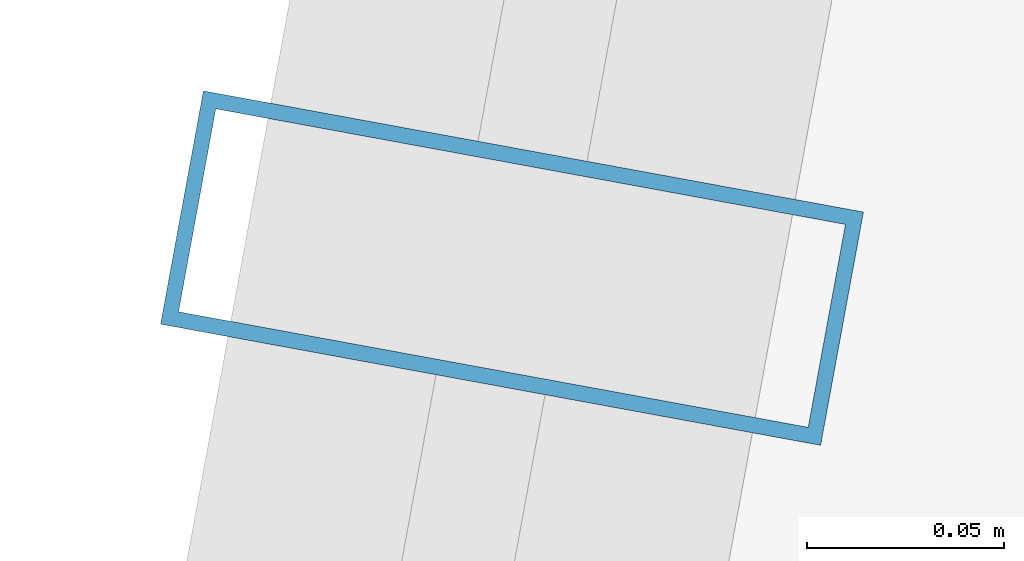
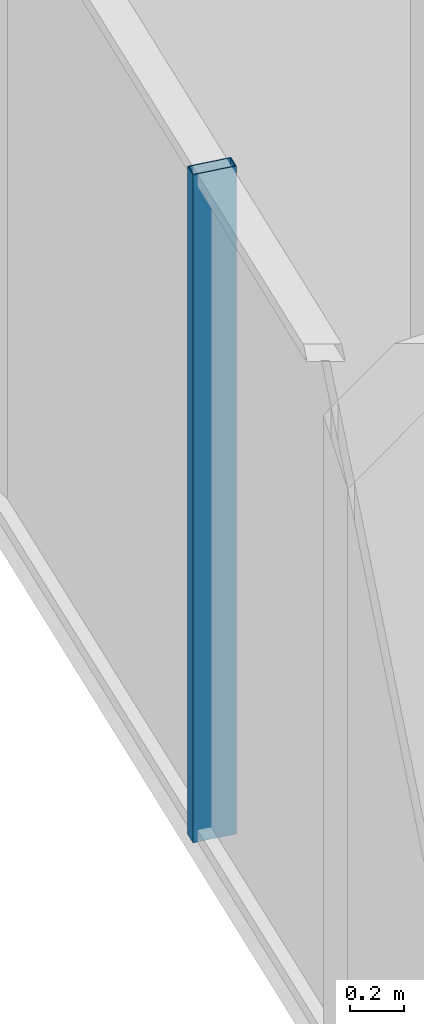
# One storey, part 13 of 33: 1 member, 1 element without a shape of its own.
"""IFC4 building model written with IfcOpenShell, lengths in metres."""

import ifcopenshell
import ifcopenshell.guid

model = None  # the IFC model being written
_history = None  # IfcOwnerHistory: only IFC2X3 demands one
_inside = {}  # id of a spatial element -> (the spatial element, [elements in it])
_under = {}  # id of a project, library or spatial element -> (it, [spatial elements below it])
_declared = {}  # id of a project -> (the project, [libraries it declares])
_typed = {}  # id of a type object -> (the type object, [elements of that type])
_made_of = {}  # id of a material, layer set ... -> (it, [elements and type objects made of it])


def new_model(schema):
    """Start an empty IFC model of exactly this schema.

    Asked for "IFC4X3", IfcOpenShell would pick the latest addendum, in which some entities
    have other attributes; the version numbers below select the first issue.
    IFC2X3 requires an IfcOwnerHistory on every rooted entity: one is made here for all.
    """
    global model, _history
    if schema == "IFC4X3":
        model = ifcopenshell.file(schema_version=(4, 3, 0, 0))
    else:
        model = ifcopenshell.file(schema=schema)
    _inside.clear()
    _under.clear()
    _declared.clear()
    _typed.clear()
    _made_of.clear()
    _history = None
    if model.schema == "IFC2X3":
        org = make("IfcOrganization", Name="unknown")
        user = make(
            "IfcPersonAndOrganization",
            ThePerson=make("IfcPerson", FamilyName="unknown"),
            TheOrganization=org,
        )
        app = make(
            "IfcApplication",
            ApplicationDeveloper=org,
            Version="unknown",
            ApplicationFullName="unknown",
            ApplicationIdentifier="unknown",
        )
        _history = make(
            "IfcOwnerHistory",
            OwningUser=user,
            OwningApplication=app,
            ChangeAction="ADDED",
            CreationDate=0,
        )
    return model


def make(cls, **values):
    """One entity of the class cls with the attributes given. An attribute that is None is left unset."""
    return model.create_entity(
        cls, **{name: value for name, value in values.items() if value is not None}
    )


def rooted(cls, **values):
    """An entity with a GlobalId (a new one), such as an element, a storey or a relation."""
    return make(cls, GlobalId=ifcopenshell.guid.new(), OwnerHistory=_history, **values)


def si_unit(unit_type, name, prefix=None):
    """IfcSIUnit, for example si_unit("LENGTHUNIT", "METRE", prefix="MILLI")."""
    return make("IfcSIUnit", UnitType=unit_type, Prefix=prefix, Name=name)


def assignment(units):
    """IfcUnitAssignment: the units of a project."""
    return None if units is None else make("IfcUnitAssignment", Units=units)


def point(xyz):
    """IfcCartesianPoint."""
    return None if xyz is None else make("IfcCartesianPoint", Coordinates=xyz)


def direction(xyz):
    """IfcDirection."""
    return None if xyz is None else make("IfcDirection", DirectionRatios=xyz)


def frame(location, z_axis=None, x_axis=None):
    """IfcAxis2Placement3D, a coordinate frame: its origin and axes. An axis left out is left unset."""
    return make(
        "IfcAxis2Placement3D",
        Location=point(location),
        Axis=direction(z_axis),
        RefDirection=direction(x_axis),
    )


def frame_2d(location, x_axis=None):
    """IfcAxis2Placement2D, a coordinate frame in the plane: its origin and x axis."""
    return make(
        "IfcAxis2Placement2D", Location=point(location), RefDirection=direction(x_axis)
    )


def origin():
    """The frame at (0, 0, 0) with its axes left unset."""
    return frame((0.0, 0.0, 0.0))


def origin_2d():
    """The frame at (0, 0) in the plane with its x axis left unset."""
    return frame_2d((0.0, 0.0))


def place(relative_to, where):
    """IfcLocalPlacement: puts the frame where relative to a parent placement (None: the world)."""
    return make(
        "IfcLocalPlacement", PlacementRelTo=relative_to, RelativePlacement=where
    )


def context(
    kind, dimensions, precision=None, world=None, true_north=None, identifier=None
):
    """IfcGeometricRepresentationContext, for example the 3D "Model" context."""
    return make(
        "IfcGeometricRepresentationContext",
        ContextIdentifier=identifier,
        ContextType=kind,
        CoordinateSpaceDimension=dimensions,
        Precision=precision,
        WorldCoordinateSystem=world,
        TrueNorth=true_north,
    )


def subcontext(parent, identifier, kind, view, scale=None):
    """IfcGeometricRepresentationSubContext, for example "Body" below "Model"."""
    return make(
        "IfcGeometricRepresentationSubContext",
        ContextIdentifier=identifier,
        ContextType=kind,
        ParentContext=parent,
        TargetScale=scale,
        TargetView=view,
    )


def project(units=None, contexts=None):
    """IfcProject with its units and contexts."""
    return rooted(
        "IfcProject",
        Name="project",
        RepresentationContexts=contexts,
        UnitsInContext=assignment(units),
    )


def spatial(cls, under=None, at=None, **own):
    """A site, building, storey or space (cls), placed at a placement, below another one or the project."""
    s = rooted(cls, ObjectPlacement=at, **own)
    if under is not None:
        _under.setdefault(under.id(), (under, []))[1].append(s)
    return s


def profile(cls, at=None, kind="AREA", **sizes):
    """A parametric profile (cls). Its sizes go by their IFC names, for example OverallWidth=200.0."""
    return make(cls, ProfileType=kind, Position=at, **sizes)


def hollow_rectangle(**sizes):
    """IfcRectangleHollowProfileDef."""
    return profile("IfcRectangleHollowProfileDef", **sizes)


def extrude(swept, where, along, depth):
    """IfcExtrudedAreaSolid: the profile swept, set in the frame where, extruded along a direction by depth."""
    return make(
        "IfcExtrudedAreaSolid",
        SweptArea=swept,
        Position=where,
        ExtrudedDirection=direction(along),
        Depth=depth,
    )


def shape(context_of_items, identifier, shape_type, items):
    """IfcShapeRepresentation: the items that make up one representation, for example the "Body"."""
    return make(
        "IfcShapeRepresentation",
        ContextOfItems=context_of_items,
        RepresentationIdentifier=identifier,
        RepresentationType=shape_type,
        Items=items,
    )


def source(mapping_origin, context_of_items, identifier, shape_type, items):
    """IfcRepresentationMap: a shape defined once, which mapped items show again and again."""
    return make(
        "IfcRepresentationMap",
        MappingOrigin=mapping_origin,
        MappedRepresentation=shape(context_of_items, identifier, shape_type, items),
    )


def transform(
    local_origin,
    x_axis=None,
    y_axis=None,
    z_axis=None,
    scale=None,
    scale2=None,
    scale3=None,
    uniform=True,
):
    """IfcCartesianTransformationOperator3D, or its non-uniform kind. x_axis, y_axis, z_axis: its Axis1, 2, 3."""
    if uniform:
        return make(
            "IfcCartesianTransformationOperator3D",
            Axis1=direction(x_axis),
            Axis2=direction(y_axis),
            LocalOrigin=point(local_origin),
            Scale=scale,
            Axis3=direction(z_axis),
        )
    return make(
        "IfcCartesianTransformationOperator3DnonUniform",
        Axis1=direction(x_axis),
        Axis2=direction(y_axis),
        LocalOrigin=point(local_origin),
        Scale=scale,
        Axis3=direction(z_axis),
        Scale2=scale2,
        Scale3=scale3,
    )


def mapped(mapping_source, mapping_target):
    """IfcMappedItem: shows the shape of a source again, moved by a transform."""
    return make(
        "IfcMappedItem", MappingSource=mapping_source, MappingTarget=mapping_target
    )


def material(Name=None, Category=None):
    """IfcMaterial."""
    return make("IfcMaterial", Name=Name, Category=Category)


def layer(
    of_material, thickness, ventilated=None, Name=None, Category=None, Priority=None
):
    """IfcMaterialLayer: one layer of a wall or slab, of a material (None: an air gap)."""
    return make(
        "IfcMaterialLayer",
        Material=of_material,
        LayerThickness=thickness,
        IsVentilated=ventilated,
        Name=Name,
        Category=Category,
        Priority=Priority,
    )


def layer_set(layers, Name=None):
    """IfcMaterialLayerSet."""
    return make("IfcMaterialLayerSet", MaterialLayers=layers, LayerSetName=Name)


def material_profile(
    of_material, cross_section, Name=None, Category=None, Priority=None
):
    """IfcMaterialProfile: a cross section and its material."""
    return make(
        "IfcMaterialProfile",
        Name=Name,
        Material=of_material,
        Profile=cross_section,
        Priority=Priority,
        Category=Category,
    )


def profile_set(profiles, Name=None, composite=None):
    """IfcMaterialProfileSet."""
    return make(
        "IfcMaterialProfileSet",
        Name=Name,
        MaterialProfiles=profiles,
        CompositeProfile=composite,
    )


def made_of(thing, what):
    """Note that an element or type object is made of a material, layer set ...; save() writes the relation."""
    if what is not None:
        _made_of.setdefault(what.id(), (what, []))[1].append(thing)
    return thing


def type_object(cls, material=None, **own):
    """A type object (cls), such as IfcWallType, which elements share."""
    return made_of(rooted(cls, **own), material)


def element(
    cls,
    number,
    at=None,
    inside=None,
    cuts=None,
    type_object=None,
    material=None,
    context=None,
    identifier="Body",
    shape_type=None,
    held_by="IfcProductDefinitionShape",
    body=None,
    shapes=None,
    **own,
):
    """One element of the class cls, such as IfcWall. Its Tag is "e" and its number.

    at: its placement. inside: the storey or other place that contains it. cuts: it is an
    opening in that element (IfcRelVoidsElement). A single representation is given by context,
    identifier, shape_type and body (its items); several are given by shapes. held_by: the class
    of the entity that holds the representations. save() writes the other relations.
    """
    e = rooted(cls, Tag="e%d" % number, ObjectPlacement=at, **own)
    if body is not None:
        shapes = [shape(context, identifier, shape_type, body)]
    if shapes is not None:
        e.Representation = make(held_by, Representations=shapes)
    if inside is not None:
        _inside.setdefault(inside.id(), (inside, []))[1].append(e)
    if cuts is not None:
        rooted(
            "IfcRelVoidsElement", RelatingBuildingElement=cuts, RelatedOpeningElement=e
        )
    if type_object is not None:
        _typed.setdefault(type_object.id(), (type_object, []))[1].append(e)
    return made_of(e, material)


def aggregate(whole, parts):
    """IfcRelAggregates: a whole, such as a stair, and the parts it consists of."""
    return rooted("IfcRelAggregates", RelatingObject=whole, RelatedObjects=parts)


def save(model, path):
    """Write the relations noted so far, then the file.

    IfcRelAggregates (storeys below a building ...), IfcRelContainedInSpatialStructure (elements
    in a storey), IfcRelDefinesByType, IfcRelAssociatesMaterial and IfcRelDeclares: one each for
    every whole, place, type object, material and project.
    """
    for whole, parts in _under.values():
        aggregate(whole, parts)
    for where, things in _inside.values():
        rooted(
            "IfcRelContainedInSpatialStructure",
            RelatedElements=things,
            RelatingStructure=where,
        )
    for kind, things in _typed.values():
        rooted("IfcRelDefinesByType", RelatedObjects=things, RelatingType=kind)
    for what, things in _made_of.values():
        rooted("IfcRelAssociatesMaterial", RelatedObjects=things, RelatingMaterial=what)
    for by, libraries in _declared.values():
        rooted("IfcRelDeclares", RelatingContext=by, RelatedDefinitions=libraries)
    model.write(path)


model = new_model("IFC4")

# Units and contexts
model_context = context("Model", 3, precision=1e-05, world=origin(), true_north=direction((0.0, 1.0)))
body_context = subcontext(model_context, "Body", "Model", "MODEL_VIEW")
ifc_project = project(units=[si_unit("LENGTHUNIT", "METRE"), si_unit("AREAUNIT", "SQUARE_METRE"), si_unit("VOLUMEUNIT", "CUBIC_METRE"), si_unit("PLANEANGLEUNIT", "RADIAN"), si_unit("MASSUNIT", "GRAM", prefix="KILO")], contexts=[model_context])

# Site, building, storey
site_placement = place(None, origin())
site = spatial("IfcSite", under=ifc_project, at=site_placement, CompositionType="ELEMENT")
building_placement = place(site_placement, origin())
building = spatial("IfcBuilding", under=site, at=building_placement, Name="Veraguas Prism Commons", CompositionType="ELEMENT")
storey_placement = place(building_placement, frame((0.0, 0.0, 92.699951171875)))
storey = spatial("IfcBuildingStorey", under=building, at=storey_placement, Name="L25", CompositionType="ELEMENT", Elevation=92.699951171875)

# Curtain wall, member
ifc_material = material(Name="Anodised aluminium EN AW-6063 T6", Category="aluminium")
ifc_layer = layer(ifc_material, 0.169921875, Name="Unitised Flush Curtain Wall Zone 2", Category="aluminium")
ifc_layer_set = layer_set([ifc_layer], Name="Anodised aluminium EN AW-6063 T6")
curtain_wall_type = type_object("IfcCurtainWallType", Name="Unitised Flush Curtain Wall Zone 2", PredefinedType="NOTDEFINED", material=ifc_layer_set)
curtain_wall_placement = place(storey_placement, origin())
curtain_wall = element("IfcCurtainWall", 1, at=curtain_wall_placement, inside=storey, type_object=curtain_wall_type, Name="Tower Facade Curtain Wall L25-F3", PredefinedType="NOTDEFINED")
ifc_material_profile = material_profile(ifc_material, hollow_rectangle(XDim=0.06005859375, YDim=0.169921875, WallThickness=0.00390625, at=origin_2d()), Name="AL60X170X4")
ifc_profile_set = profile_set([ifc_material_profile], Name="Anodised aluminium EN AW-6063 T6")
member_type = type_object("IfcMemberType", Name="Curtain Wall Mullion Lower AL 60x170x4", PredefinedType="MULLION", material=ifc_profile_set)
shared_shape = source(origin(), body_context, "Body", "SweptSolid", [
    extrude(hollow_rectangle(XDim=0.06005859375, YDim=0.169921875, WallThickness=0.00390625, at=origin_2d()), origin(), (0.0, 0.0, 1.0), 3.0),
])
member_placement = place(storey_placement, frame((5.1328125, 27.462890625, 0.0), z_axis=(0.0, 0.0, 1.0), x_axis=(-0.180522578562, -0.983570840677, 0.0)))
member = element("IfcMember", 2, at=member_placement, type_object=member_type, Name="CW-Z2 Mullion 3", PredefinedType="MULLION", context=body_context, shape_type="MappedRepresentation", body=[
    mapped(shared_shape, transform((0.0, 0.0, 0.0), scale=1.0)),
])
aggregate(curtain_wall, [member])

save(model, "model.ifc")
